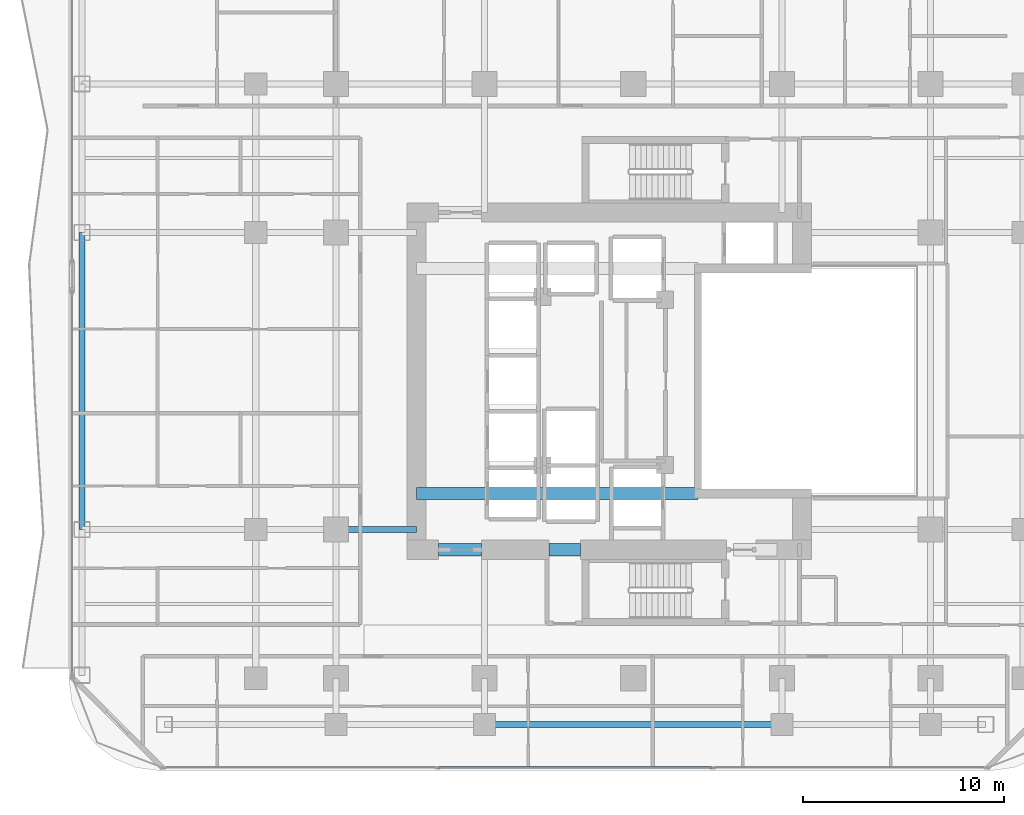
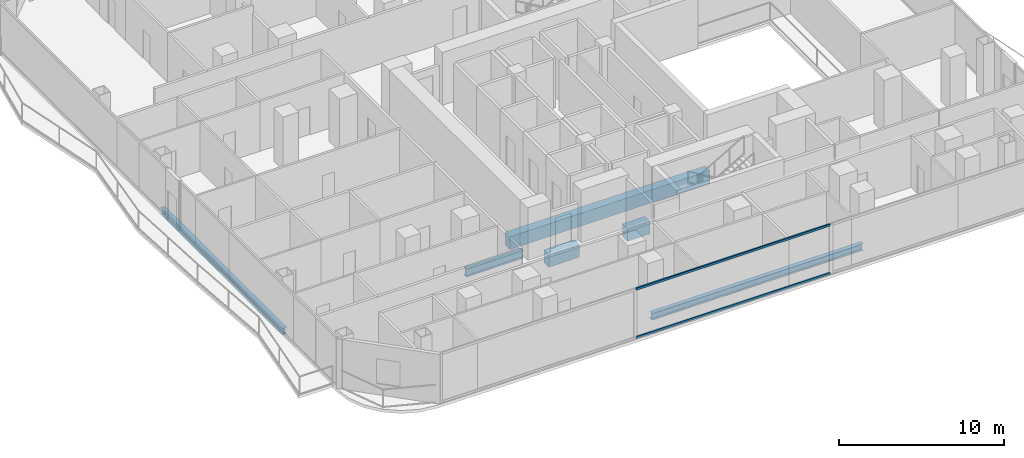
# One storey, part 5 of 27: 6 beams, 2 members, 1 element without a shape of its own.
"""IFC4 building model written with IfcOpenShell, lengths in metres."""

from ifc_helpers import new_model, si_unit, direction, frame, origin, origin_2d, place, context, subcontext, project, spatial, rectangle, hollow_rectangle, i_section, extrude, material, layer, layer_set, material_profile, profile_set, type_object, element, aggregate, save


model = new_model("IFC4")

# Units and contexts
model_context = context("Model", 3, precision=1e-05, world=origin(), true_north=direction((0.0, 1.0)))
body_context = subcontext(model_context, "Body", "Model", "MODEL_VIEW")
ifc_project = project(units=[si_unit("LENGTHUNIT", "METRE"), si_unit("AREAUNIT", "SQUARE_METRE"), si_unit("VOLUMEUNIT", "CUBIC_METRE"), si_unit("PLANEANGLEUNIT", "RADIAN"), si_unit("MASSUNIT", "GRAM", prefix="KILO")], contexts=[model_context])

# Site, building, storey
site_placement = place(None, origin())
site = spatial("IfcSite", under=ifc_project, at=site_placement, CompositionType="ELEMENT")
building_placement = place(site_placement, origin())
building = spatial("IfcBuilding", under=site, at=building_placement, Name="Khorvyn Point Tower", CompositionType="ELEMENT")
storey_placement = place(building_placement, frame((0.0, 0.0, 96.89990234375)))
storey = spatial("IfcBuildingStorey", under=building, at=storey_placement, Name="L24", CompositionType="ELEMENT", Elevation=96.89990234375)

# Curtain wall, members
ifc_material_1 = material(Name="Anodised aluminium 6063-T6 and laminated Low-E glass", Category="aluminium")
ifc_layer = layer(ifc_material_1, 0.18994140625)
ifc_layer_set = layer_set([ifc_layer], Name="Stick-Built Finned Residential Curtain Wall CW-SYS-02")
curtain_wall_type = type_object("IfcCurtainWallType", Name="Stick-Built Finned Residential Curtain Wall CW-SYS-02", PredefinedType="NOTDEFINED", material=ifc_layer_set)
curtain_wall_placement = place(storey_placement, origin())
curtain_wall = element("IfcCurtainWall", 1, at=curtain_wall_placement, inside=storey, type_object=curtain_wall_type, Name="Curtain Wall", PredefinedType="NOTDEFINED")
ifc_material_2 = material(Name="Anodised aluminium 6063-T6", Category="aluminium")
ifc_material_profile_1 = material_profile(ifc_material_2, hollow_rectangle(XDim=0.10009765625, YDim=0.159912109375, WallThickness=0.00439453125, at=origin_2d()))
ifc_profile_set_1 = profile_set([ifc_material_profile_1], Name="Anodised aluminium 6063-T6 ALU-TRN-100x160")
member_type = type_object("IfcMemberType", Name="Anodised Aluminium 6063-T6 Transom ALU-TRN-100x160", PredefinedType="USERDEFINED", material=ifc_profile_set_1)
member_1_placement = place(storey_placement, frame((3.89990234375, -19.25, 0.050048828125), z_axis=(-1.0, 0.0, 0.0), x_axis=(0.0, -1.0, 0.0)))
member_1 = element("IfcMember", 2, at=member_1_placement, type_object=member_type, Name="Transom", ObjectType="TRANSOM", PredefinedType="USERDEFINED", context=body_context, shape_type="SweptSolid", body=[
    extrude(hollow_rectangle(XDim=0.10009765625, YDim=0.159912109375, WallThickness=0.00439453125, at=origin_2d()), origin(), (0.0, 0.0, 1.0), 13.599853515625),
])
member_2_placement = place(storey_placement, frame((3.89990234375, -19.25, 3.630126953125), z_axis=(-1.0, 0.0, 0.0), x_axis=(0.0, -1.0, 0.0)))
member_2 = element("IfcMember", 3, at=member_2_placement, type_object=member_type, Name="Transom", ObjectType="TRANSOM", PredefinedType="USERDEFINED", context=body_context, shape_type="SweptSolid", body=[
    extrude(hollow_rectangle(XDim=0.10009765625, YDim=0.159912109375, WallThickness=0.00439453125, at=origin_2d()), origin(), (0.0, 0.0, 1.0), 13.599853515625),
])
aggregate(curtain_wall, [member_1, member_2])

# Beams
ifc_material_3 = material(Name="Concrete C50/60", Category="concrete")
ifc_material_profile_2 = material_profile(ifc_material_3, rectangle(XDim=0.60009765625, YDim=0.949951171875, at=origin_2d()))
ifc_profile_set_2 = profile_set([ifc_material_profile_2], Name="Concrete C50/60 RC600x950")
beam_type_1 = type_object("IfcBeamType", Name="Concrete C50/60 Beam RC600x950", PredefinedType="BEAM", material=ifc_profile_set_2)
beam_1_placement = place(storey_placement, frame((-10.800048828125, -5.60009765625, -0.69482421875), z_axis=(1.0, 0.0, 0.0), x_axis=(0.0, 1.0, 0.0)))
element("IfcBeam", 4, at=beam_1_placement, inside=storey, type_object=beam_type_1, Name="L24 Core Internal Tie Girder S", PredefinedType="BEAM", context=body_context, shape_type="SweptSolid", body=[
    extrude(rectangle(XDim=0.60009765625, YDim=0.949951171875, at=origin_2d()), origin(), (0.0, 0.0, 1.0), 14.02001953125),
])
beam_2_placement = place(storey_placement, frame((-9.699951171875, -8.39990234375, -0.69482421875), z_axis=(1.0, 0.0, 0.0), x_axis=(0.0, 1.0, 0.0)))
element("IfcBeam", 5, at=beam_2_placement, inside=storey, type_object=beam_type_1, Name="L24 Core Southwest Portal Coupling Beam", PredefinedType="BEAM", context=body_context, shape_type="SweptSolid", body=[
    extrude(rectangle(XDim=0.60009765625, YDim=0.949951171875, at=origin_2d()), origin(), (0.0, 0.0, 1.0), 2.14990234375),
])
beam_3_placement = place(storey_placement, frame((-4.199951171875, -8.39990234375, -0.69482421875), z_axis=(1.0, 0.0, 0.0), x_axis=(0.0, 1.0, 0.0)))
element("IfcBeam", 6, at=beam_3_placement, inside=storey, type_object=beam_type_1, Name="L24 Core Shuttle Portal Coupling Beam", PredefinedType="BEAM", context=body_context, shape_type="SweptSolid", body=[
    extrude(rectangle(XDim=0.60009765625, YDim=0.949951171875, at=origin_2d()), origin(), (0.0, 0.0, 1.0), 1.579833984375),
])
ifc_material_4 = material(Name="Steel S355", Category="steel")
ifc_material_profile_3 = material_profile(ifc_material_4, i_section(OverallWidth=0.300048828125, OverallDepth=0.587890625, WebThickness=0.011962890625, FlangeThickness=0.02001953125, at=origin_2d()))
ifc_profile_set_3 = profile_set([ifc_material_profile_3], Name="Steel S355 H588x300x12x20")
beam_type_2 = type_object("IfcBeamType", Name="Steel S355 Beam H588x300x12x20", PredefinedType="BEAM", material=ifc_profile_set_3)
beam_4_placement = place(storey_placement, frame((-14.800048828125, -7.39990234375, -0.513916015625), z_axis=(1.0, 0.0, 0.0), x_axis=(0.0, 1.0, 0.0)))
element("IfcBeam", 7, at=beam_4_placement, inside=storey, type_object=beam_type_2, Name="Beam", PredefinedType="BEAM", context=body_context, shape_type="SweptSolid", body=[
    extrude(i_section(OverallWidth=0.300048828125, OverallDepth=0.587890625, WebThickness=0.011962890625, FlangeThickness=0.02001953125, at=origin_2d()), origin(), (0.0, 0.0, 1.0), 4.0),
])
ifc_material_profile_4 = material_profile(ifc_material_4, i_section(OverallWidth=0.300048828125, OverallDepth=0.488037109375, WebThickness=0.010986328125, FlangeThickness=0.01806640625, at=origin_2d()))
ifc_profile_set_4 = profile_set([ifc_material_profile_4], Name="Steel S355 H488x300x11x18")
beam_type_3 = type_object("IfcBeamType", Name="Steel S355 Spandrel H488x300x11x18", PredefinedType="SPANDREL", material=ifc_profile_set_4)
for number, where, z_axis, x_axis, name in (
    (8, (-7.39990234375, -17.10009765625, -0.4638671875), (1.0, 0.0, 0.0), (0.0, 1.0, 0.0), "Beam"),
    (9, (-27.449951171875, -7.39990234375, -0.4638671875), (0.0, 1.0, 0.0), (-1.0, 0.0, 0.0), "Beam"),
):
    element("IfcBeam", number, at=place(storey_placement, frame(where, z_axis=z_axis, x_axis=x_axis)), inside=storey, type_object=beam_type_3, Name=name, PredefinedType="SPANDREL", context=body_context, shape_type="SweptSolid", body=[
        extrude(i_section(OverallWidth=0.300048828125, OverallDepth=0.488037109375, WebThickness=0.010986328125, FlangeThickness=0.01806640625, at=origin_2d()), origin(), (0.0, 0.0, 1.0), 14.7998046875),
    ])

save(model, "model.ifc")
